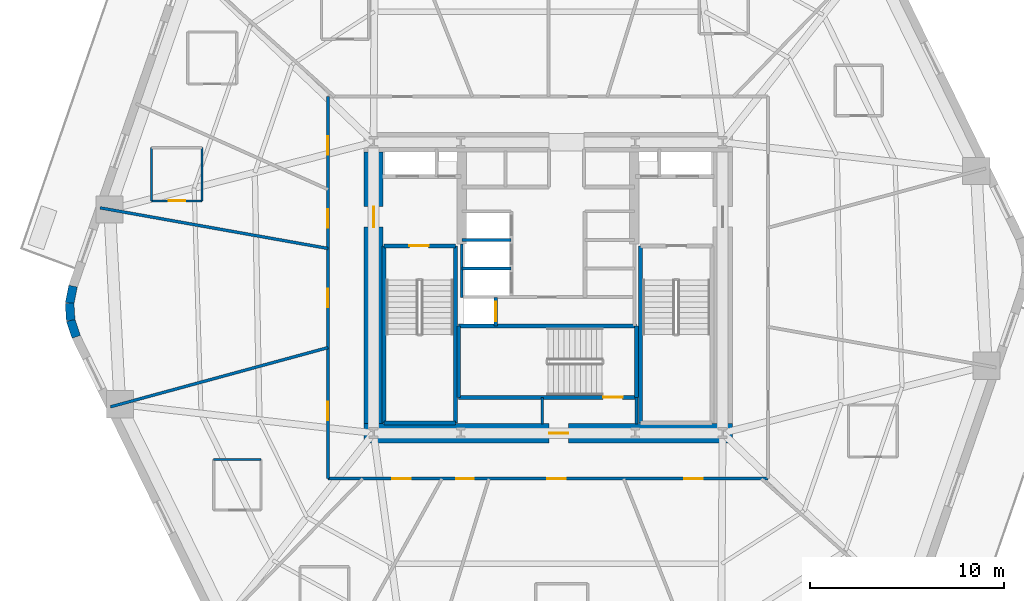
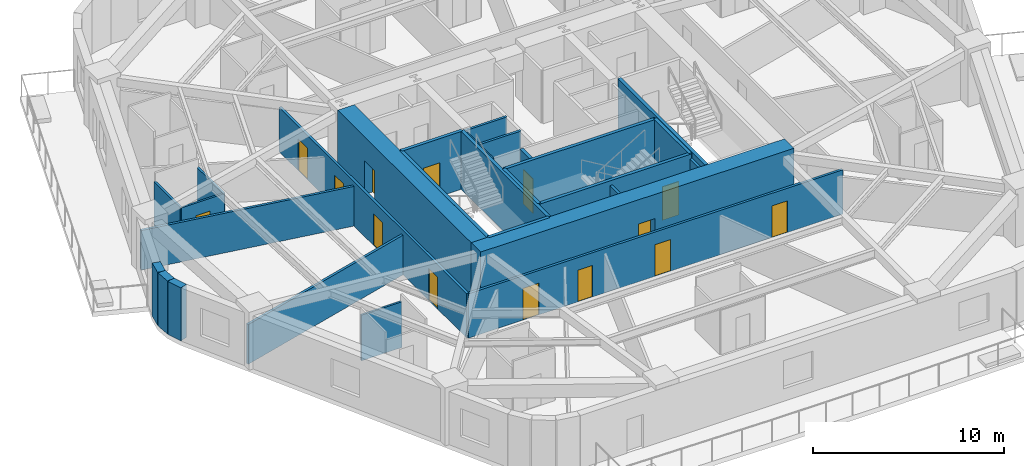
# One storey, part 3 of 10: 28 walls, 14 doors, 14 openings.
"""IFC4 building model written with IfcOpenShell, lengths in metres."""

from ifc_helpers import new_model, si_unit, direction, frame, frame_2d, origin, place, context, subcontext, project, spatial, rectangle, extrude, material, layer, layer_set, type_object, element, fill, save


model = new_model("IFC4")

# Units and contexts
model_context = context("Model", 3, precision=1e-05, world=origin(), true_north=direction((0.0, 1.0)))
body_context = subcontext(model_context, "Body", "Model", "MODEL_VIEW")
ifc_project = project(units=[si_unit("LENGTHUNIT", "METRE"), si_unit("AREAUNIT", "SQUARE_METRE"), si_unit("VOLUMEUNIT", "CUBIC_METRE"), si_unit("PLANEANGLEUNIT", "RADIAN"), si_unit("MASSUNIT", "GRAM", prefix="KILO")], contexts=[model_context])

# Site, building, storey
site_placement = place(None, origin())
site = spatial("IfcSite", under=ifc_project, at=site_placement, CompositionType="ELEMENT")
building_placement = place(site_placement, origin())
building = spatial("IfcBuilding", under=site, at=building_placement, Name="Kilnhurst Terrace Hotel", CompositionType="ELEMENT")
storey_placement = place(building_placement, frame((0.0, 0.0, 74.89990234375)))
storey = spatial("IfcBuildingStorey", under=building, at=storey_placement, Name="L17", CompositionType="ELEMENT", Elevation=74.89990234375)

# Walls
ifc_material_1 = material(Name="Precast concrete C40/50", Category="concrete")
ifc_layer_1 = layer(ifc_material_1, 0.449951171875, Name="Precast concrete C40/50")
ifc_layer_set_1 = layer_set([ifc_layer_1], Name="Precast concrete C40/50")
wall_type_1 = type_object("IfcWallType", Name="WL-BRK-450", PredefinedType="SOLIDWALL", material=ifc_layer_set_1)
wall_1_placement = place(storey_placement, frame((-24.49560546875, 0.07666015625, 0.0), z_axis=(0.0, 0.0, 1.0), x_axis=(-0.199570594521, -0.979883451132, 0.0)))
element("IfcWall", 1, at=wall_1_placement, inside=storey, type_object=wall_type_1, Name="L17 Rounded Corner Brick Wall C6.1", PredefinedType="SOLIDWALL", context=body_context, shape_type="SweptSolid", body=[
    extrude(rectangle(XDim=0.896728515625, YDim=0.449951171875, at=frame_2d((0.4482421875, 0.0))), origin(), (0.0, 0.0, 1.0), 3.400146484375),
])
wall_2_placement = place(storey_placement, frame((-24.674560546875, -0.802001953125, 0.0), z_axis=(0.0, 0.0, 1.0), x_axis=(0.061188874166, -0.998126205286, 0.0)))
element("IfcWall", 2, at=wall_2_placement, inside=storey, type_object=wall_type_1, Name="L17 Rounded Corner Brick Wall C6.2", PredefinedType="SOLIDWALL", context=body_context, shape_type="SweptSolid", body=[
    extrude(rectangle(XDim=0.8818359375, YDim=0.449951171875, at=frame_2d((0.44091796875, 0.0))), origin(), (0.0, 0.0, 1.0), 3.400146484375),
])
wall_3_placement = place(storey_placement, frame((-24.62060546875, -1.68212890625, 0.0), z_axis=(0.0, 0.0, 1.0), x_axis=(0.317697451681, -0.948192137278, 0.0)))
element("IfcWall", 3, at=wall_3_placement, inside=storey, type_object=wall_type_1, Name="L17 Rounded Corner Brick Wall C6.3", PredefinedType="SOLIDWALL", context=body_context, shape_type="SweptSolid", body=[
    extrude(rectangle(XDim=0.896728515625, YDim=0.449951171875, at=frame_2d((0.4482421875, 0.0))), origin(), (0.0, 0.0, 1.0), 3.400146484375),
])

# Wall, openings, doors
ifc_material_2 = material(Name="Acoustic Double-Gypsum Corridor Partition Assembly")
ifc_layer_2 = layer(ifc_material_2, 0.14990234375, Name="Acoustic Double-Gypsum Corridor Partition Assembly")
ifc_layer_set_2 = layer_set([ifc_layer_2], Name="Acoustic Double-Gypsum Corridor Partition Assembly")
wall_type_2 = type_object("IfcWallType", Name="WL-COR-150", PredefinedType="PARTITIONING", material=ifc_layer_set_2)
wall_4_placement = place(storey_placement, frame((-11.35009765625, -9.85009765625, 0.0), z_axis=(0.0, 0.0, 1.0), x_axis=(0.0, 1.0, 0.0)))
wall_4 = element("IfcWall", 4, at=wall_4_placement, inside=storey, type_object=wall_type_2, Name="L17 Interior Wall WL-L17-COR-01", PredefinedType="PARTITIONING", context=body_context, shape_type="SweptSolid", body=[
    extrude(rectangle(XDim=19.7001953125, YDim=0.14990234375, at=frame_2d((9.85009765625, 0.0))), origin(), (0.0, 0.0, 1.0), 2.840087890625),
])
opening_1_placement = place(wall_4_placement, frame((16.714111328125, 0.0, 0.0)))
opening_1 = element("IfcOpeningElement", 5, at=opening_1_placement, cuts=wall_4, Name="Opening D-60B", PredefinedType="OPENING", context=body_context, shape_type="SweptSolid", body=[
    extrude(rectangle(XDim=0.949951171875, YDim=2.030029296875, at=frame_2d((0.47509765625, 1.01513671875))), frame((0.0, 0.0849609375, 0.0), z_axis=(0.0, -1.0, 0.0), x_axis=(1.0, 0.0, 0.0)), (0.0, 0.0, 1.0), 0.169921875),
])
opening_2_placement = place(wall_4_placement, frame((12.931884765625, 0.0, 0.0)))
opening_2 = element("IfcOpeningElement", 6, at=opening_2_placement, cuts=wall_4, Name="Opening D-60B", PredefinedType="OPENING", context=body_context, shape_type="SweptSolid", body=[
    extrude(rectangle(XDim=0.949951171875, YDim=2.030029296875, at=frame_2d((0.47509765625, 1.01513671875))), frame((0.0, 0.0849609375, 0.0), z_axis=(0.0, -1.0, 0.0), x_axis=(1.0, 0.0, 0.0)), (0.0, 0.0, 1.0), 0.169921875),
])
opening_3_placement = place(wall_4_placement, frame((8.837890625, 0.0, 0.0)))
opening_3 = element("IfcOpeningElement", 7, at=opening_3_placement, cuts=wall_4, Name="Opening D-60B", PredefinedType="OPENING", context=body_context, shape_type="SweptSolid", body=[
    extrude(rectangle(XDim=0.949951171875, YDim=2.030029296875, at=frame_2d((0.47509765625, 1.01513671875))), frame((0.0, 0.0849609375, 0.0), z_axis=(0.0, -1.0, 0.0), x_axis=(1.0, 0.0, 0.0)), (0.0, 0.0, 1.0), 0.169921875),
])
opening_4_placement = place(wall_4_placement, frame((3.02392578125, 0.0, 0.0)))
opening_4 = element("IfcOpeningElement", 8, at=opening_4_placement, cuts=wall_4, Name="Opening D-60B", PredefinedType="OPENING", context=body_context, shape_type="SweptSolid", body=[
    extrude(rectangle(XDim=0.949951171875, YDim=2.030029296875, at=frame_2d((0.47509765625, 1.01513671875))), frame((0.0, 0.0849609375, 0.0), z_axis=(0.0, -1.0, 0.0), x_axis=(1.0, 0.0, 0.0)), (0.0, 0.0, 1.0), 0.169921875),
])
ifc_material_3 = material(Name="Acoustic Walnut Veneer Solid-Core Fire Door")
door_type_1 = type_object("IfcDoorType", Name="DR-FD60-950", OperationType="NOTDEFINED", PredefinedType="DOOR", material=ifc_material_3)
door_1_placement = place(opening_1_placement, origin())
door_1 = element("IfcDoor", 9, at=door_1_placement, inside=storey, type_object=door_type_1, Name="L17 Guest Room Entry Door 6", OperationType="SINGLE_SWING_RIGHT", OverallHeight=2.030029296875, OverallWidth=0.949951171875, PredefinedType="DOOR", context=body_context, shape_type="SweptSolid", body=[
    extrude(rectangle(XDim=0.949951171875, YDim=2.030029296875, at=frame_2d((0.47509765625, 1.01513671875))), frame((0.0, 0.02490234375, 0.0), z_axis=(0.0, -1.0, 0.0), x_axis=(1.0, 0.0, 0.0)), (0.0, 0.0, 1.0), 0.050048828125),
])
fill(opening_1, door_1)
door_2_placement = place(opening_2_placement, origin())
door_2 = element("IfcDoor", 10, at=door_2_placement, inside=storey, type_object=door_type_1, Name="L17 Guest Room Entry Door 7", OperationType="SINGLE_SWING_LEFT", OverallHeight=2.030029296875, OverallWidth=0.949951171875, PredefinedType="DOOR", context=body_context, shape_type="SweptSolid", body=[
    extrude(rectangle(XDim=0.949951171875, YDim=2.030029296875, at=frame_2d((0.47509765625, 1.01513671875))), frame((0.0, 0.02490234375, 0.0), z_axis=(0.0, -1.0, 0.0), x_axis=(1.0, 0.0, 0.0)), (0.0, 0.0, 1.0), 0.050048828125),
])
fill(opening_2, door_2)
door_3_placement = place(opening_3_placement, origin())
door_3 = element("IfcDoor", 11, at=door_3_placement, inside=storey, type_object=door_type_1, Name="L17 Wellness Treatment Suite Door", OperationType="SINGLE_SWING_RIGHT", OverallHeight=2.030029296875, OverallWidth=0.949951171875, PredefinedType="DOOR", context=body_context, shape_type="SweptSolid", body=[
    extrude(rectangle(XDim=0.949951171875, YDim=2.030029296875, at=frame_2d((0.47509765625, 1.01513671875))), frame((0.0, 0.02490234375, 0.0), z_axis=(0.0, -1.0, 0.0), x_axis=(1.0, 0.0, 0.0)), (0.0, 0.0, 1.0), 0.050048828125),
])
fill(opening_3, door_3)
door_4_placement = place(opening_4_placement, origin())
door_4 = element("IfcDoor", 12, at=door_4_placement, inside=storey, type_object=door_type_1, Name="L17 Executive Suite Entry Door 9", OperationType="SINGLE_SWING_LEFT", OverallHeight=2.030029296875, OverallWidth=0.949951171875, PredefinedType="DOOR", context=body_context, shape_type="SweptSolid", body=[
    extrude(rectangle(XDim=0.949951171875, YDim=2.030029296875, at=frame_2d((0.47509765625, 1.01513671875))), frame((0.0, 0.02490234375, 0.0), z_axis=(0.0, -1.0, 0.0), x_axis=(1.0, 0.0, 0.0)), (0.0, 0.0, 1.0), 0.050048828125),
])
fill(opening_4, door_4)

wall_5_placement = place(storey_placement, frame((11.35009765625, -9.85009765625, 0.0), z_axis=(0.0, 0.0, 1.0), x_axis=(-1.0, 0.0, 0.0)))
wall_5 = element("IfcWall", 13, at=wall_5_placement, inside=storey, type_object=wall_type_2, Name="L17 Interior Wall WL-L17-COR-04", PredefinedType="PARTITIONING", context=body_context, shape_type="SweptSolid", body=[
    extrude(rectangle(XDim=22.7001953125, YDim=0.14990234375, at=frame_2d((11.35009765625, 0.0))), origin(), (0.0, 0.0, 1.0), 2.840087890625),
])
opening_5_placement = place(wall_5_placement, frame((18.43603515625, 0.0, 0.0)))
opening_5 = element("IfcOpeningElement", 14, at=opening_5_placement, cuts=wall_5, Name="Opening D-60B", PredefinedType="OPENING", context=body_context, shape_type="SweptSolid", body=[
    extrude(rectangle(XDim=0.949951171875, YDim=2.030029296875, at=frame_2d((0.47509765625, 1.01513671875))), frame((0.0, 0.0849609375, 0.0), z_axis=(0.0, -1.0, 0.0), x_axis=(1.0, 0.0, 0.0)), (0.0, 0.0, 1.0), 0.169921875),
])
opening_6_placement = place(wall_5_placement, frame((15.176025390625, 0.0, 0.0)))
opening_6 = element("IfcOpeningElement", 15, at=opening_6_placement, cuts=wall_5, Name="Opening D-60C", PredefinedType="OPENING", context=body_context, shape_type="SweptSolid", body=[
    extrude(rectangle(XDim=0.89990234375, YDim=2.030029296875, at=frame_2d((0.449951171875, 1.01513671875))), frame((0.0, 0.0849609375, 0.0), z_axis=(0.0, -1.0, 0.0), x_axis=(1.0, 0.0, 0.0)), (0.0, 0.0, 1.0), 0.169921875),
])
opening_7_placement = place(wall_5_placement, frame((10.444091796875, 0.0, 0.0)))
opening_7 = element("IfcOpeningElement", 16, at=opening_7_placement, cuts=wall_5, Name="Opening D-60B", PredefinedType="OPENING", context=body_context, shape_type="SweptSolid", body=[
    extrude(rectangle(XDim=0.949951171875, YDim=2.030029296875, at=frame_2d((0.47509765625, 1.01513671875))), frame((0.0, 0.0849609375, 0.0), z_axis=(0.0, -1.0, 0.0), x_axis=(1.0, 0.0, 0.0)), (0.0, 0.0, 1.0), 0.169921875),
])
opening_8_placement = place(wall_5_placement, frame((3.368896484375, 0.0, 0.0)))
opening_8 = element("IfcOpeningElement", 17, at=opening_8_placement, cuts=wall_5, Name="Opening D-60B", PredefinedType="OPENING", context=body_context, shape_type="SweptSolid", body=[
    extrude(rectangle(XDim=0.949951171875, YDim=2.030029296875, at=frame_2d((0.47509765625, 1.01513671875))), frame((0.0, 0.0849609375, 0.0), z_axis=(0.0, -1.0, 0.0), x_axis=(1.0, 0.0, 0.0)), (0.0, 0.0, 1.0), 0.169921875),
])
ifc_material_4 = material(Name="Painted Solid-Core Service Fire Door")
door_type_2 = type_object("IfcDoorType", Name="DR-FD60-900", OperationType="NOTDEFINED", PredefinedType="DOOR", material=ifc_material_4)
door_5_placement = place(opening_6_placement, origin())
door_5 = element("IfcDoor", 18, at=door_5_placement, inside=storey, type_object=door_type_2, Name="L17 Executive Work Office Door 11", OperationType="SINGLE_SWING_LEFT", OverallHeight=2.030029296875, OverallWidth=0.89990234375, PredefinedType="DOOR", context=body_context, shape_type="SweptSolid", body=[
    extrude(rectangle(XDim=0.89990234375, YDim=2.030029296875, at=frame_2d((0.449951171875, 1.01513671875))), frame((0.0, 0.02490234375, 0.0), z_axis=(0.0, -1.0, 0.0), x_axis=(1.0, 0.0, 0.0)), (0.0, 0.0, 1.0), 0.050048828125),
])
fill(opening_6, door_5)
door_6_placement = place(opening_5_placement, origin())
door_6 = element("IfcDoor", 19, at=door_6_placement, inside=storey, type_object=door_type_1, Name="L17 Guest Room Entry Door 10", OperationType="SINGLE_SWING_RIGHT", OverallHeight=2.030029296875, OverallWidth=0.949951171875, PredefinedType="DOOR", context=body_context, shape_type="SweptSolid", body=[
    extrude(rectangle(XDim=0.949951171875, YDim=2.030029296875, at=frame_2d((0.47509765625, 1.01513671875))), frame((0.0, 0.02490234375, 0.0), z_axis=(0.0, -1.0, 0.0), x_axis=(1.0, 0.0, 0.0)), (0.0, 0.0, 1.0), 0.050048828125),
])
fill(opening_5, door_6)
door_7_placement = place(opening_7_placement, origin())
door_7 = element("IfcDoor", 20, at=door_7_placement, inside=storey, type_object=door_type_1, Name="L17 Executive Suite Entry Door 12", OperationType="SINGLE_SWING_RIGHT", OverallHeight=2.030029296875, OverallWidth=0.949951171875, PredefinedType="DOOR", context=body_context, shape_type="SweptSolid", body=[
    extrude(rectangle(XDim=0.949951171875, YDim=2.030029296875, at=frame_2d((0.47509765625, 1.01513671875))), frame((0.0, 0.02490234375, 0.0), z_axis=(0.0, -1.0, 0.0), x_axis=(1.0, 0.0, 0.0)), (0.0, 0.0, 1.0), 0.050048828125),
])
fill(opening_7, door_7)
door_8_placement = place(opening_8_placement, origin())
door_8 = element("IfcDoor", 21, at=door_8_placement, inside=storey, type_object=door_type_1, Name="L17 Concierge Office Door", OperationType="SINGLE_SWING_LEFT", OverallHeight=2.030029296875, OverallWidth=0.949951171875, PredefinedType="DOOR", context=body_context, shape_type="SweptSolid", body=[
    extrude(rectangle(XDim=0.949951171875, YDim=2.030029296875, at=frame_2d((0.47509765625, 1.01513671875))), frame((0.0, 0.02490234375, 0.0), z_axis=(0.0, -1.0, 0.0), x_axis=(1.0, 0.0, 0.0)), (0.0, 0.0, 1.0), 0.050048828125),
])
fill(opening_8, door_8)

# Wall, opening, door
ifc_material_5 = material(Name="Concrete C80/95", Category="concrete")
ifc_layer_3 = layer(ifc_material_5, 1.0, Name="Concrete C80/95")
ifc_layer_set_3 = layer_set([ifc_layer_3], Name="Concrete C80/95")
wall_type_3 = type_object("IfcWallType", Name="WL-CORE-1000", PredefinedType="SHEAR", material=ifc_layer_set_3)
wall_6_placement = place(storey_placement, frame((-9.5, -7.5, 0.0), z_axis=(0.0, 0.0, 1.0), x_axis=(1.0, 0.0, 0.0)))
wall_6 = element("IfcWall", 22, at=wall_6_placement, inside=storey, type_object=wall_type_3, Name="L17 Core South Shear Wall", PredefinedType="SHEAR", context=body_context, shape_type="SweptSolid", body=[
    extrude(rectangle(XDim=19.0, YDim=1.0, at=frame_2d((9.5, 0.0))), origin(), (0.0, 0.0, 1.0), 3.7001953125),
])
opening_9_placement = place(wall_6_placement, frame((9.550048828125, 0.0, 0.0)))
opening_9 = element("IfcOpeningElement", 23, at=opening_9_placement, cuts=wall_6, Name="Opening D-90B", PredefinedType="OPENING", context=body_context, shape_type="SweptSolid", body=[
    extrude(rectangle(XDim=1.0, YDim=2.14990234375, at=frame_2d((0.5, 1.074951171875))), frame((0.0, 0.510009765625, 0.0), z_axis=(0.0, -1.0, 0.0), x_axis=(1.0, 0.0, 0.0)), (0.0, 0.0, 1.0), 1.02001953125),
])
ifc_material_6 = material(Name="Painted Hollow Metal Steel ASTM A36 Fire Door", Category="steel")
door_type_3 = type_object("IfcDoorType", Name="DR-FD90-1000", OperationType="NOTDEFINED", PredefinedType="DOOR", material=ifc_material_6)
door_9_placement = place(opening_9_placement, origin())
door_9 = element("IfcDoor", 24, at=door_9_placement, inside=storey, type_object=door_type_3, Name="L17 Stair ST-3 Corridor Door", OperationType="SINGLE_SWING_RIGHT", OverallHeight=2.14990234375, OverallWidth=1.0, PredefinedType="DOOR", context=body_context, shape_type="SweptSolid", body=[
    extrude(rectangle(XDim=1.0, YDim=2.14990234375, at=frame_2d((0.5, 1.074951171875))), frame((0.0, 0.02490234375, 0.0), z_axis=(0.0, -1.0, 0.0), x_axis=(1.0, 0.0, 0.0)), (0.0, 0.0, 1.0), 0.050048828125),
])
fill(opening_9, door_9)

wall_7_placement = place(storey_placement, frame((-9.0, -7.0, 0.0), z_axis=(0.0, 0.0, 1.0), x_axis=(0.0, 1.0, 0.0)))
wall_7 = element("IfcWall", 25, at=wall_7_placement, inside=storey, type_object=wall_type_3, Name="L17 Core West Shear Wall", PredefinedType="SHEAR", context=body_context, shape_type="SweptSolid", body=[
    extrude(rectangle(XDim=14.0, YDim=1.0, at=frame_2d((7.0, 0.0))), origin(), (0.0, 0.0, 1.0), 3.7001953125),
])
opening_10_placement = place(wall_7_placement, frame((10.125, 0.0, 0.0)))
opening_10 = element("IfcOpeningElement", 26, at=opening_10_placement, cuts=wall_7, Name="Opening D-90A", PredefinedType="OPENING", context=body_context, shape_type="SweptSolid", body=[
    extrude(rectangle(XDim=1.050048828125, YDim=2.14990234375, at=frame_2d((0.52490234375, 1.074951171875))), frame((0.0, 0.510009765625, 0.0), z_axis=(0.0, -1.0, 0.0), x_axis=(1.0, 0.0, 0.0)), (0.0, 0.0, 1.0), 1.02001953125),
])
door_type_4 = type_object("IfcDoorType", Name="DR-FD90-1050", OperationType="NOTDEFINED", PredefinedType="DOOR", material=ifc_material_6)
door_10_placement = place(opening_10_placement, origin())
door_10 = element("IfcDoor", 27, at=door_10_placement, inside=storey, type_object=door_type_4, Name="L17 West Firefighting Lobby Door", OperationType="SINGLE_SWING_RIGHT", OverallHeight=2.14990234375, OverallWidth=1.050048828125, PredefinedType="DOOR", context=body_context, shape_type="SweptSolid", body=[
    extrude(rectangle(XDim=1.050048828125, YDim=2.14990234375, at=frame_2d((0.52490234375, 1.074951171875))), frame((0.0, 0.02490234375, 0.0), z_axis=(0.0, -1.0, 0.0), x_axis=(1.0, 0.0, 0.0)), (0.0, 0.0, 1.0), 0.050048828125),
])
fill(opening_10, door_10)

# Walls
ifc_material_7 = material(Name="STC-58 Acoustic Twin-Frame Guestroom Demising Partition")
ifc_layer_4 = layer(ifc_material_7, 0.14990234375, Name="STC-58 Acoustic Twin-Frame Guestroom Demising Partition")
ifc_layer_set_4 = layer_set([ifc_layer_4], Name="STC-58 Acoustic Twin-Frame Guestroom Demising Partition")
wall_type_4 = type_object("IfcWallType", Name="WL-DEM-150", PredefinedType="PARTITIONING", material=ifc_layer_set_4)
wall_8_placement = place(storey_placement, frame((-11.35009765625, 2.022705078125, 0.0), z_axis=(0.0, 0.0, 1.0), x_axis=(-0.984493741877, 0.17541970301, 0.0)))
element("IfcWall", 28, at=wall_8_placement, inside=storey, type_object=wall_type_4, Name="L17 Interior Wall WL-L17-DEM-COL06-08-1", PredefinedType="PARTITIONING", context=body_context, shape_type="SweptSolid", body=[
    extrude(rectangle(XDim=11.93701171875, YDim=0.14990234375, at=frame_2d((5.968505859375, 0.0))), origin(), (0.0, 0.0, 1.0), 2.5400390625),
])
wall_9_placement = place(storey_placement, frame((-11.35009765625, -3.0908203125, 0.0), z_axis=(0.0, 0.0, 1.0), x_axis=(-0.964859685283, -0.262765651704, 0.0)))
element("IfcWall", 29, at=wall_9_placement, inside=storey, type_object=wall_type_4, Name="L17 Interior Wall WL-L17-DEM-COL07-09-1", PredefinedType="PARTITIONING", context=body_context, shape_type="SweptSolid", body=[
    extrude(rectangle(XDim=11.62890625, YDim=0.14990234375, at=frame_2d((5.814453125, 0.0))), origin(), (0.0, 0.0, 1.0), 2.5400390625),
])

# Wall, opening, door
ifc_material_8 = material(Name="120 mm Moisture-Resistant Tile-Backed Bathroom Partition")
ifc_layer_5 = layer(ifc_material_8, 0.1201171875, Name="120 mm Moisture-Resistant Tile-Backed Bathroom Partition")
ifc_layer_set_5 = layer_set([ifc_layer_5], Name="120 mm Moisture-Resistant Tile-Backed Bathroom Partition")
wall_type_5 = type_object("IfcWallType", Name="WL-PART-120", PredefinedType="PARTITIONING", material=ifc_layer_set_5)
wall_10_placement = place(storey_placement, frame((-20.448974609375, 4.47412109375, 0.0), z_axis=(0.0, 0.0, 1.0), x_axis=(1.0, 0.0, 0.0)))
wall_10 = element("IfcWall", 30, at=wall_10_placement, inside=storey, type_object=wall_type_5, Name="L17 Interior Wall WL-L17-BTH-07-1", PredefinedType="PARTITIONING", context=body_context, shape_type="SweptSolid", body=[
    extrude(rectangle(XDim=2.599853515625, YDim=0.1201171875, at=frame_2d((1.2998046875, 0.0))), origin(), (0.0, 0.0, 1.0), 2.840087890625),
])
opening_11_placement = place(wall_10_placement, frame((0.875, 0.0, 0.0)))
opening_11 = element("IfcOpeningElement", 31, at=opening_11_placement, cuts=wall_10, Name="Opening D-08A", PredefinedType="OPENING", context=body_context, shape_type="SweptSolid", body=[
    extrude(rectangle(XDim=0.85009765625, YDim=2.030029296875, at=frame_2d((0.425048828125, 1.01513671875))), frame((0.0, 0.070068359375, 0.0), z_axis=(0.0, -1.0, 0.0), x_axis=(1.0, 0.0, 0.0)), (0.0, 0.0, 1.0), 0.14013671875),
])
ifc_material_9 = material(Name="Moisture-Resistant Lacquered En-suite Bathroom Door")
door_type_5 = type_object("IfcDoorType", Name="DR-INT-850", OperationType="NOTDEFINED", PredefinedType="DOOR", material=ifc_material_9)
door_11_placement = place(opening_11_placement, origin())
door_11 = element("IfcDoor", 32, at=door_11_placement, inside=storey, type_object=door_type_5, Name="L17 En-suite Bathroom Door 7", OperationType="SINGLE_SWING_RIGHT", OverallHeight=2.030029296875, OverallWidth=0.85009765625, PredefinedType="DOOR", context=body_context, shape_type="SweptSolid", body=[
    extrude(rectangle(XDim=0.85009765625, YDim=2.030029296875, at=frame_2d((0.425048828125, 1.01513671875))), frame((0.0, 0.02490234375, 0.0), z_axis=(0.0, -1.0, 0.0), x_axis=(1.0, 0.0, 0.0)), (0.0, 0.0, 1.0), 0.050048828125),
])
fill(opening_11, door_11)

# Walls
for number, where, z_axis, x_axis, name in (
    (33, (-17.84912109375, 4.47412109375, 0.0), (0.0, 0.0, 1.0), (0.0, 1.0, 0.0), "L17 Interior Wall WL-L17-BTH-07-2"),
    (34, (-20.448974609375, 7.22412109375, 0.0), (0.0, 0.0, 1.0), (0.0, -1.0, 0.0), "L17 Interior Wall WL-L17-BTH-07-4"),
):
    element("IfcWall", number, at=place(storey_placement, frame(where, z_axis=z_axis, x_axis=x_axis)), inside=storey, type_object=wall_type_5, Name=name, PredefinedType="PARTITIONING", context=body_context, shape_type="SweptSolid", body=[
        extrude(rectangle(XDim=2.75, YDim=0.1201171875, at=frame_2d((1.375, 0.0))), origin(), (0.0, 0.0, 1.0), 2.840087890625),
    ])
wall_11_placement = place(storey_placement, frame((-14.803955078125, -8.860107421875, 0.0), z_axis=(0.0, 0.0, 1.0), x_axis=(-1.0, 0.0, 0.0)))
element("IfcWall", 35, at=wall_11_placement, inside=storey, type_object=wall_type_5, Name="L17 Interior Wall WL-L17-BTH-09-3", PredefinedType="PARTITIONING", context=body_context, shape_type="SweptSolid", body=[
    extrude(rectangle(XDim=2.43994140625, YDim=0.1201171875, at=frame_2d((1.219970703125, 0.0))), origin(), (0.0, 0.0, 1.0), 2.926513671875),
])
ifc_material_10 = material(Name="Fire-Rated Gypsum Shaftliner Assembly")
ifc_layer_6 = layer(ifc_material_10, 0.14990234375, Name="Fire-Rated Gypsum Shaftliner Assembly")
ifc_layer_set_6 = layer_set([ifc_layer_6], Name="Fire-Rated Gypsum Shaftliner Assembly")
wall_type_6 = type_object("IfcWallType", Name="WL-SHAFT-150", PredefinedType="PARTITIONING", material=ifc_layer_set_6)
for number, where, z_axis, x_axis, name in (
    (36, (-0.300048828125, -7.02001953125, 0.0), (0.0, 0.0, 1.0), (0.0, 1.0, 0.0), "L17 Interior Wall WL-L17-ST3-PSGW"),
    (37, (4.55810546875, -7.02001953125, 0.0), (0.0, 0.0, 1.0), (0.0, 1.0, 0.0), "L17 Interior Wall WL-L17-ST3-PSGE"),
):
    element("IfcWall", number, at=place(storey_placement, frame(where, z_axis=z_axis, x_axis=x_axis)), inside=storey, type_object=wall_type_6, Name=name, PredefinedType="PARTITIONING", context=body_context, shape_type="SweptSolid", body=[
        extrude(rectangle(XDim=1.362060546875, YDim=0.14990234375, at=frame_2d((0.68115234375, 0.0))), origin(), (0.0, 0.0, 1.0), 3.400146484375),
    ])
wall_12_placement = place(storey_placement, frame((-4.449951171875, -0.5, 0.0), z_axis=(0.0, 0.0, 1.0), x_axis=(0.0, 1.0, 0.0)))
element("IfcWall", 38, at=wall_12_placement, inside=storey, type_object=wall_type_6, Name="L17 Interior Wall WL-L17-XLOB-W", PredefinedType="PARTITIONING", context=body_context, shape_type="SweptSolid", body=[
    extrude(rectangle(XDim=2.75, YDim=0.14990234375, at=frame_2d((1.375, 0.0))), origin(), (0.0, 0.0, 1.0), 3.400146484375),
])
for number, where, z_axis, x_axis, name in (
    (39, (-4.449951171875, 0.97998046875, 0.0), (0.0, 0.0, 1.0), (1.0, 0.0, 0.0), "L17 Interior Wall WL-L17-LR-D1"),
    (40, (-4.449951171875, 2.4599609375, 0.0), (0.0, 0.0, 1.0), (1.0, 0.0, 0.0), "L17 Interior Wall WL-L17-LR-D2"),
):
    element("IfcWall", number, at=place(storey_placement, frame(where, z_axis=z_axis, x_axis=x_axis)), inside=storey, type_object=wall_type_6, Name=name, PredefinedType="PARTITIONING", context=body_context, shape_type="SweptSolid", body=[
        extrude(rectangle(XDim=2.550048828125, YDim=0.14990234375, at=frame_2d((1.27490234375, 0.0))), origin(), (0.0, 0.0, 1.0), 3.400146484375),
    ])

# Wall, opening, door
ifc_material_11 = material(Name="Autoclaved Aerated Concrete C30/37 and Gypsum Shaft Assembly", Category="concrete")
ifc_layer_7 = layer(ifc_material_11, 0.199951171875, Name="Autoclaved Aerated Concrete C30/37 and Gypsum Shaft Assembly")
ifc_layer_set_7 = layer_set([ifc_layer_7], Name="Autoclaved Aerated Concrete C30/37 and Gypsum Shaft Assembly")
wall_type_7 = type_object("IfcWallType", Name="WL-SHAFT-200", PredefinedType="PARTITIONING", material=ifc_layer_set_7)
wall_13_placement = place(storey_placement, frame((-2.699951171875, -1.971923828125, 0.0), z_axis=(0.0, 0.0, 1.0), x_axis=(0.0, 1.0, 0.0)))
wall_13 = element("IfcWall", 41, at=wall_13_placement, inside=storey, type_object=wall_type_7, Name="L17 Interior Wall WL-L17-SRV1-E", PredefinedType="PARTITIONING", context=body_context, shape_type="SweptSolid", body=[
    extrude(rectangle(XDim=1.471923828125, YDim=0.199951171875, at=frame_2d((0.73583984375, 0.0))), origin(), (0.0, 0.0, 1.0), 3.400146484375),
])
opening_12_placement = place(wall_13_placement, frame((0.239990234375, 0.0, 0.0)))
opening_12 = element("IfcOpeningElement", 42, at=opening_12_placement, cuts=wall_13, Name="Opening LD-SV", PredefinedType="OPENING", context=body_context, shape_type="SweptSolid", body=[
    extrude(rectangle(XDim=1.0, YDim=2.199951171875, at=frame_2d((0.5, 1.10009765625))), frame((0.0, 0.10986328125, 0.0), z_axis=(0.0, -1.0, 0.0), x_axis=(1.0, 0.0, 0.0)), (0.0, 0.0, 1.0), 0.219970703125),
])
ifc_material_12 = material(Name="Bronze-Anodized Stainless Steel AISI 316L Sliding Door", Category="steel")
door_type_6 = type_object("IfcDoorType", Name="DR-LIFT-1000", OperationType="NOTDEFINED", PredefinedType="DOOR", material=ifc_material_12)
door_12_placement = place(opening_12_placement, origin())
door_12 = element("IfcDoor", 43, at=door_12_placement, inside=storey, type_object=door_type_6, Name="L17 Service Lift SRV-1 Landing Door", OperationType="SLIDING_TO_LEFT", OverallHeight=2.199951171875, OverallWidth=1.0, PredefinedType="DOOR", context=body_context, shape_type="SweptSolid", body=[
    extrude(rectangle(XDim=1.0, YDim=2.199951171875, at=frame_2d((0.5, 1.10009765625))), frame((0.0, 0.02490234375, 0.0), z_axis=(0.0, -1.0, 0.0), x_axis=(1.0, 0.0, 0.0)), (0.0, 0.0, 1.0), 0.050048828125),
])
fill(opening_12, door_12)

# Walls
ifc_material_13 = material(Name="Concrete C50/60", Category="concrete")
ifc_layer_8 = layer(ifc_material_13, 0.199951171875, Name="Concrete C50/60")
ifc_layer_set_8 = layer_set([ifc_layer_8], Name="Concrete C50/60")
wall_type_8 = type_object("IfcWallType", Name="WL-STAIR-RC-200", PredefinedType="SHEAR", material=ifc_layer_set_8)
for number, where, z_axis, x_axis, name in (
    (44, (-8.4580078125, -6.985107421875, 0.0), (0.0, 0.0, 1.0), (0.0, 1.0, 0.0), "L17 Structural Stair Shaft Wall WL-L17-ST1-W"),
    (45, (-4.77197265625, -6.985107421875, 0.0), (0.0, 0.0, 1.0), (0.0, 1.0, 0.0), "L17 Structural Stair Shaft Wall WL-L17-ST1-E"),
):
    element("IfcWall", number, at=place(storey_placement, frame(where, z_axis=z_axis, x_axis=x_axis)), inside=storey, type_object=wall_type_8, Name=name, PredefinedType="SHEAR", context=body_context, shape_type="SweptSolid", body=[
        extrude(rectangle(XDim=9.14306640625, YDim=0.199951171875, at=frame_2d((4.571533203125, 0.0))), origin(), (0.0, 0.0, 1.0), 3.7001953125),
    ])
wall_14_placement = place(storey_placement, frame((-8.4580078125, -6.985107421875, 0.0), z_axis=(0.0, 0.0, 1.0), x_axis=(1.0, 0.0, 0.0)))
element("IfcWall", 46, at=wall_14_placement, inside=storey, type_object=wall_type_8, Name="L17 Structural Stair Shaft Wall WL-L17-ST1-S", PredefinedType="SHEAR", context=body_context, shape_type="SweptSolid", body=[
    extrude(rectangle(XDim=3.68603515625, YDim=0.199951171875, at=frame_2d((1.843017578125, 0.0))), origin(), (0.0, 0.0, 1.0), 3.7001953125),
])

# Wall, opening, door
wall_15_placement = place(storey_placement, frame((-8.4580078125, 2.157958984375, 0.0), z_axis=(0.0, 0.0, 1.0), x_axis=(1.0, 0.0, 0.0)))
wall_15 = element("IfcWall", 47, at=wall_15_placement, inside=storey, type_object=wall_type_8, Name="L17 Structural Stair Shaft Wall WL-L17-ST1-N", PredefinedType="SHEAR", context=body_context, shape_type="SweptSolid", body=[
    extrude(rectangle(XDim=3.68603515625, YDim=0.199951171875, at=frame_2d((1.843017578125, 0.0))), origin(), (0.0, 0.0, 1.0), 3.7001953125),
])
opening_13_placement = place(wall_15_placement, frame((1.300048828125, 0.0, 0.0)))
opening_13 = element("IfcOpeningElement", 48, at=opening_13_placement, cuts=wall_15, Name="Opening D-90B", PredefinedType="OPENING", context=body_context, shape_type="SweptSolid", body=[
    extrude(rectangle(XDim=1.0, YDim=2.14990234375, at=frame_2d((0.5, 1.074951171875))), frame((0.0, 0.10986328125, 0.0), z_axis=(0.0, -1.0, 0.0), x_axis=(1.0, 0.0, 0.0)), (0.0, 0.0, 1.0), 0.219970703125),
])
door_13_placement = place(opening_13_placement, origin())
door_13 = element("IfcDoor", 49, at=door_13_placement, inside=storey, type_object=door_type_3, Name="L17 Stair ST-1 Door", OperationType="SINGLE_SWING_LEFT", OverallHeight=2.14990234375, OverallWidth=1.0, PredefinedType="DOOR", context=body_context, shape_type="SweptSolid", body=[
    extrude(rectangle(XDim=1.0, YDim=2.14990234375, at=frame_2d((0.5, 1.074951171875))), frame((0.0, 0.02490234375, 0.0), z_axis=(0.0, -1.0, 0.0), x_axis=(1.0, 0.0, 0.0)), (0.0, 0.0, 1.0), 0.050048828125),
])
fill(opening_13, door_13)

# Walls
wall_16_placement = place(storey_placement, frame((4.77197265625, -6.985107421875, 0.0), z_axis=(0.0, 0.0, 1.0), x_axis=(0.0, 1.0, 0.0)))
element("IfcWall", 50, at=wall_16_placement, inside=storey, type_object=wall_type_8, Name="L17 Structural Stair Shaft Wall WL-L17-ST2-W", PredefinedType="SHEAR", context=body_context, shape_type="SweptSolid", body=[
    extrude(rectangle(XDim=9.14306640625, YDim=0.199951171875, at=frame_2d((4.571533203125, 0.0))), origin(), (0.0, 0.0, 1.0), 3.7001953125),
])
wall_17_placement = place(storey_placement, frame((-4.60791015625, -5.657958984375, 0.0), z_axis=(0.0, 0.0, 1.0), x_axis=(0.0, 1.0, 0.0)))
element("IfcWall", 51, at=wall_17_placement, inside=storey, type_object=wall_type_8, Name="L17 Structural Stair Shaft Wall WL-L17-ST3-W", PredefinedType="SHEAR", context=body_context, shape_type="SweptSolid", body=[
    extrude(rectangle(XDim=3.68603515625, YDim=0.199951171875, at=frame_2d((1.843017578125, 0.0))), origin(), (0.0, 0.0, 1.0), 3.7001953125),
])

# Wall, opening, door
wall_18_placement = place(storey_placement, frame((-4.60791015625, -5.657958984375, 0.0), z_axis=(0.0, 0.0, 1.0), x_axis=(1.0, 0.0, 0.0)))
wall_18 = element("IfcWall", 52, at=wall_18_placement, inside=storey, type_object=wall_type_8, Name="L17 Structural Stair Shaft Wall WL-L17-ST3-S", PredefinedType="SHEAR", context=body_context, shape_type="SweptSolid", body=[
    extrude(rectangle(XDim=9.166015625, YDim=0.199951171875, at=frame_2d((4.5830078125, 0.0))), origin(), (0.0, 0.0, 1.0), 3.7001953125),
])
opening_14_placement = place(wall_18_placement, frame((7.449951171875, 0.0, 0.0)))
opening_14 = element("IfcOpeningElement", 53, at=opening_14_placement, cuts=wall_18, Name="Opening D-90B", PredefinedType="OPENING", context=body_context, shape_type="SweptSolid", body=[
    extrude(rectangle(XDim=1.0, YDim=2.14990234375, at=frame_2d((0.5, 1.074951171875))), frame((0.0, 0.10986328125, 0.0), z_axis=(0.0, -1.0, 0.0), x_axis=(1.0, 0.0, 0.0)), (0.0, 0.0, 1.0), 0.219970703125),
])
door_14_placement = place(opening_14_placement, origin())
door_14 = element("IfcDoor", 54, at=door_14_placement, inside=storey, type_object=door_type_3, Name="L17 Stair ST-3 Shaft Door", OperationType="SINGLE_SWING_LEFT", OverallHeight=2.14990234375, OverallWidth=1.0, PredefinedType="DOOR", context=body_context, shape_type="SweptSolid", body=[
    extrude(rectangle(XDim=1.0, YDim=2.14990234375, at=frame_2d((0.5, 1.074951171875))), frame((0.0, 0.02490234375, 0.0), z_axis=(0.0, -1.0, 0.0), x_axis=(1.0, 0.0, 0.0)), (0.0, 0.0, 1.0), 0.050048828125),
])
fill(opening_14, door_14)

# Walls
wall_19_placement = place(storey_placement, frame((-4.60791015625, -1.971923828125, 0.0), z_axis=(0.0, 0.0, 1.0), x_axis=(1.0, 0.0, 0.0)))
element("IfcWall", 55, at=wall_19_placement, inside=storey, type_object=wall_type_8, Name="L17 Structural Stair Shaft Wall WL-L17-ST3-N", PredefinedType="SHEAR", context=body_context, shape_type="SweptSolid", body=[
    extrude(rectangle(XDim=9.166015625, YDim=0.199951171875, at=frame_2d((4.5830078125, 0.0))), origin(), (0.0, 0.0, 1.0), 3.7001953125),
])
wall_20_placement = place(storey_placement, frame((4.55810546875, -5.657958984375, 0.0), z_axis=(0.0, 0.0, 1.0), x_axis=(0.0, 1.0, 0.0)))
element("IfcWall", 56, at=wall_20_placement, inside=storey, type_object=wall_type_8, Name="L17 Structural Stair Shaft Wall WL-L17-ST3-E", PredefinedType="SHEAR", context=body_context, shape_type="SweptSolid", body=[
    extrude(rectangle(XDim=3.68603515625, YDim=0.199951171875, at=frame_2d((1.843017578125, 0.0))), origin(), (0.0, 0.0, 1.0), 3.7001953125),
])

save(model, "model.ifc")
